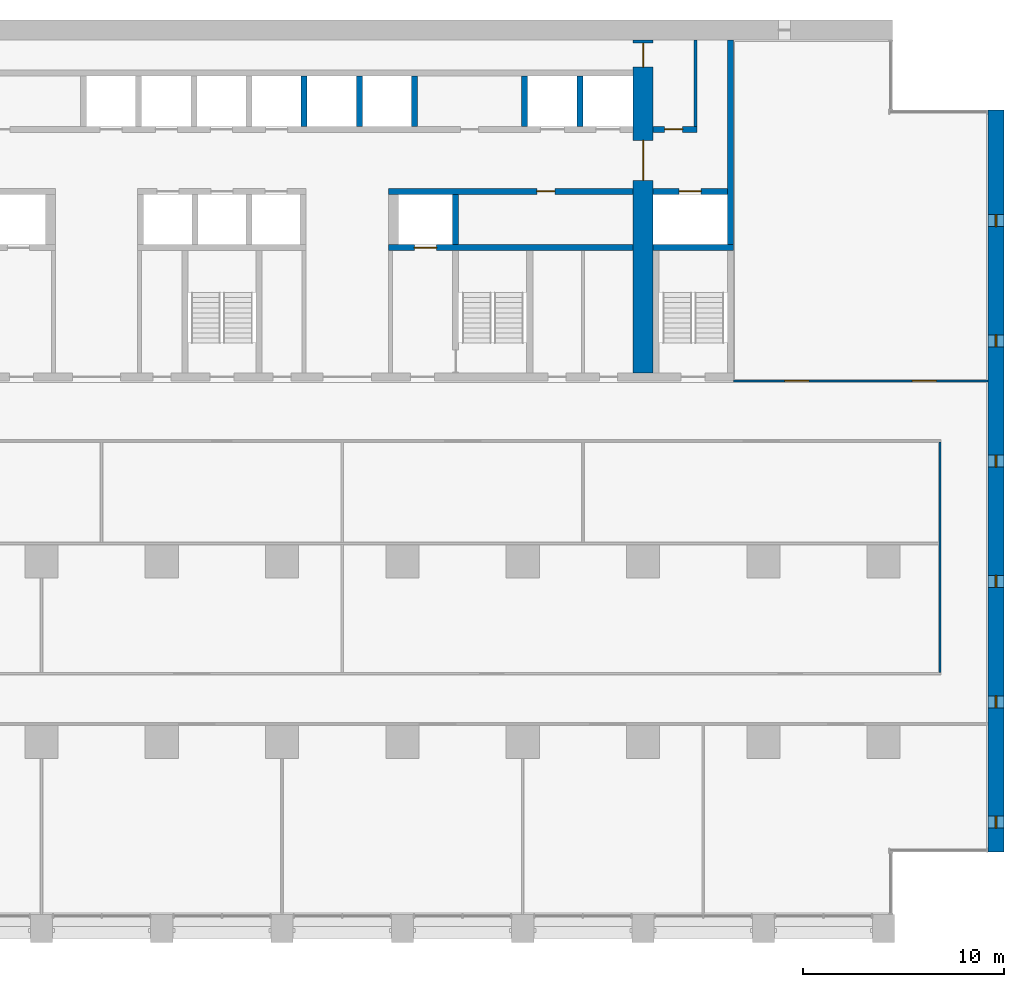
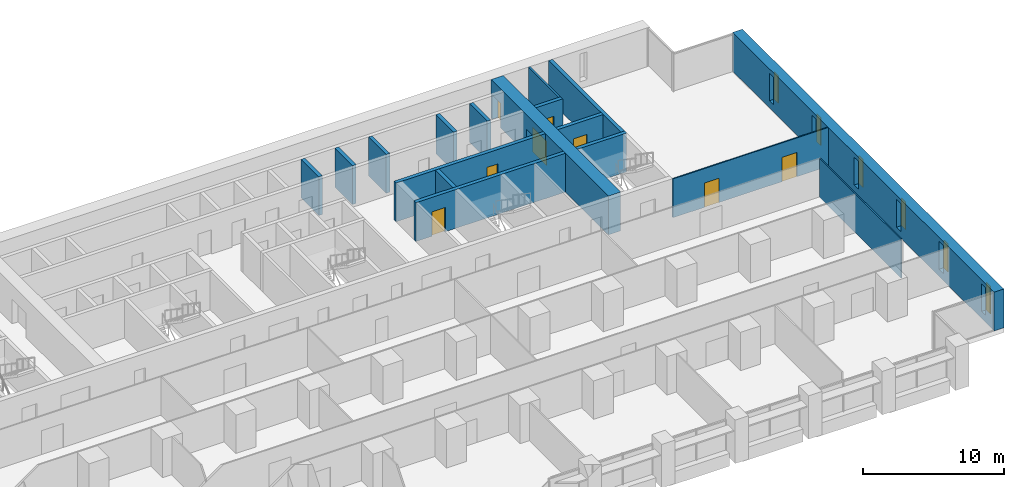
# One storey, part 13 of 18: 17 walls, 8 doors, 6 windows, 14 openings.
"""IFC4 building model written with IfcOpenShell, lengths in metres."""

from ifc_helpers import new_model, si_unit, direction, frame, frame_2d, origin, place, context, subcontext, project, spatial, rectangle, extrude, material, layer, layer_set, type_object, element, fill, save


model = new_model("IFC4")

# Units and contexts
model_context = context("Model", 3, precision=1e-05, world=origin(), true_north=direction((0.0, 1.0)))
body_context = subcontext(model_context, "Body", "Model", "MODEL_VIEW")
ifc_project = project(units=[si_unit("LENGTHUNIT", "METRE"), si_unit("AREAUNIT", "SQUARE_METRE"), si_unit("VOLUMEUNIT", "CUBIC_METRE"), si_unit("PLANEANGLEUNIT", "RADIAN"), si_unit("MASSUNIT", "GRAM", prefix="KILO")], contexts=[model_context])

# Site, building, storey
site_placement = place(None, origin())
site = spatial("IfcSite", under=ifc_project, at=site_placement, CompositionType="ELEMENT")
building_placement = place(site_placement, origin())
building = spatial("IfcBuilding", under=site, at=building_placement, Name="Calvaro Tower", CompositionType="ELEMENT")
storey_placement = place(building_placement, frame((0.0, 0.0, 56.25)))
storey = spatial("IfcBuildingStorey", under=building, at=storey_placement, Name="L13", CompositionType="ELEMENT", Elevation=56.25)

# Wall
ifc_material_1 = material(Name="Blockwork partition", Category="masonry")
ifc_layer_1 = layer(ifc_material_1, 0.14990234375)
ifc_layer_set_1 = layer_set([ifc_layer_1], Name="Blockwork partition")
wall_type_1 = type_object("IfcWallType", Name="Core partition 150 REI 120", PredefinedType="PARTITIONING", material=ifc_layer_set_1)
wall_1_placement = place(storey_placement, frame((62.625, 40.699951171875, 0.0), z_axis=(0.0, 0.0, 1.0), x_axis=(0.0, 1.0, 0.0)))
element("IfcWall", 1, at=wall_1_placement, inside=storey, type_object=wall_type_1, Name="Core partition", PredefinedType="PARTITIONING", context=body_context, shape_type="SweptSolid", body=[
    extrude(rectangle(XDim=4.300048828125, YDim=0.14990234375, at=frame_2d((2.14990234375, 0.0))), origin(), (0.0, 0.0, 1.0), 3.35009765625),
])

# Wall, opening, door
ifc_material_2 = material(Name="Blockwork partition", Category="masonry")
ifc_layer_2 = layer(ifc_material_2, 0.300048828125)
ifc_layer_set_2 = layer_set([ifc_layer_2], Name="Blockwork partition")
wall_type_2 = type_object("IfcWallType", Name="Core partition 300 REI 120", PredefinedType="PARTITIONING", material=ifc_layer_set_2)
wall_2_placement = place(storey_placement, frame((60.5, 40.550048828125, 0.0), z_axis=(0.0, 0.0, 1.0), x_axis=(1.0, 0.0, 0.0)))
wall_2 = element("IfcWall", 2, at=wall_2_placement, inside=storey, type_object=wall_type_2, Name="Core partition", PredefinedType="PARTITIONING", context=body_context, shape_type="SweptSolid", body=[
    extrude(rectangle(XDim=2.199951171875, YDim=0.300048828125, at=frame_2d((1.10009765625, 0.0))), origin(), (0.0, 0.0, 1.0), 3.35009765625),
])
opening_1_placement = place(wall_2_placement, frame((0.574951171875, 0.0, 0.0)))
opening_1 = element("IfcOpeningElement", 3, at=opening_1_placement, cuts=wall_2, Name="Opening RD9E", PredefinedType="OPENING", context=body_context, shape_type="SweptSolid", body=[
    extrude(rectangle(XDim=0.89990234375, YDim=2.10009765625, at=frame_2d((0.449951171875, 1.050048828125))), frame((0.0, 0.159912109375, 0.0), z_axis=(0.0, -1.0, 0.0), x_axis=(1.0, 0.0, 0.0)), (0.0, 0.0, 1.0), 0.320068359375),
])
ifc_material_3 = material(Name="Steel door set", Category="steel")
door_type_1 = type_object("IfcDoorType", Name="Room door 900 FD60", OperationType="SINGLE_SWING_LEFT", PredefinedType="DOOR", material=ifc_material_3)
door_1_placement = place(opening_1_placement, origin())
door_1 = element("IfcDoor", 4, at=door_1_placement, inside=storey, type_object=door_type_1, Name="Room door", OperationType="SINGLE_SWING_LEFT", OverallHeight=2.10009765625, OverallWidth=0.89990234375, PredefinedType="DOOR", context=body_context, shape_type="SweptSolid", body=[
    extrude(rectangle(XDim=0.89990234375, YDim=2.10009765625, at=frame_2d((0.449951171875, 1.050048828125))), frame((0.0, 0.02490234375, 0.0), z_axis=(0.0, -1.0, 0.0), x_axis=(1.0, 0.0, 0.0)), (0.0, 0.0, 1.0), 0.050048828125),
])
fill(opening_1, door_1)

# Wall, openings, doors
ifc_material_4 = material(Name="Concrete C80/95", Category="concrete")
ifc_layer_3 = layer(ifc_material_4, 1.0)
ifc_layer_set_3 = layer_set([ifc_layer_3], Name="Concrete C80/95")
wall_type_3 = type_object("IfcWallType", Name="Core wall C80/95 1000", PredefinedType="SHEAR", material=ifc_layer_set_3)
wall_3_placement = place(storey_placement, frame((60.0, 28.39990234375, 0.0), z_axis=(0.0, 0.0, 1.0), x_axis=(0.0, 1.0, 0.0)))
wall_3 = element("IfcWall", 5, at=wall_3_placement, inside=storey, type_object=wall_type_3, Name="Core wall, cross shear wall", PredefinedType="SHEAR", context=body_context, shape_type="SweptSolid", body=[
    extrude(rectangle(XDim=16.60009765625, YDim=1.0, at=frame_2d((8.300048828125, 0.0))), origin(), (0.0, 0.0, 1.0), 3.35009765625),
])
opening_2_placement = place(wall_3_placement, frame((9.60009765625, 0.0, 0.0)))
opening_2 = element("IfcOpeningElement", 6, at=opening_2_placement, cuts=wall_3, Name="Opening DD20D", PredefinedType="OPENING", context=body_context, shape_type="SweptSolid", body=[
    extrude(rectangle(XDim=2.0, YDim=2.10009765625, at=frame_2d((1.0, 1.050048828125))), frame((0.0, 0.510009765625, 0.0), z_axis=(0.0, -1.0, 0.0), x_axis=(1.0, 0.0, 0.0)), (0.0, 0.0, 1.0), 1.02001953125),
])
opening_3_placement = place(wall_3_placement, frame((15.25, 0.0, 0.0)))
opening_3 = element("IfcOpeningElement", 7, at=opening_3_placement, cuts=wall_3, Name="Opening FD12C", PredefinedType="OPENING", context=body_context, shape_type="SweptSolid", body=[
    extrude(rectangle(XDim=1.199951171875, YDim=2.10009765625, at=frame_2d((0.60009765625, 1.050048828125))), frame((0.0, 0.510009765625, 0.0), z_axis=(0.0, -1.0, 0.0), x_axis=(1.0, 0.0, 0.0)), (0.0, 0.0, 1.0), 1.02001953125),
])
ifc_material_5 = material(Name="Steel door set", Category="steel")
door_type_2 = type_object("IfcDoorType", Name="Fire door 1200 FD30", OperationType="SINGLE_SWING_LEFT", PredefinedType="DOOR", material=ifc_material_5)
door_2_placement = place(opening_3_placement, origin())
door_2 = element("IfcDoor", 8, at=door_2_placement, inside=storey, type_object=door_type_2, Name="Fire door", OperationType="SINGLE_SWING_LEFT", OverallHeight=2.10009765625, OverallWidth=1.199951171875, PredefinedType="DOOR", context=body_context, shape_type="SweptSolid", body=[
    extrude(rectangle(XDim=1.199951171875, YDim=2.10009765625, at=frame_2d((0.60009765625, 1.050048828125))), frame((0.0, 0.02490234375, 0.0), z_axis=(0.0, -1.0, 0.0), x_axis=(1.0, 0.0, 0.0)), (0.0, 0.0, 1.0), 0.050048828125),
])
fill(opening_3, door_2)
ifc_material_6 = material(Name="Steel door set", Category="steel")
door_type_3 = type_object("IfcDoorType", Name="Lobby double door 2000 FD30S", OperationType="DOUBLE_DOOR_SINGLE_SWING", PredefinedType="DOOR", material=ifc_material_6)
door_3_placement = place(opening_2_placement, origin())
door_3 = element("IfcDoor", 9, at=door_3_placement, inside=storey, type_object=door_type_3, Name="Lobby double door", OperationType="DOUBLE_DOOR_SINGLE_SWING", OverallHeight=2.10009765625, OverallWidth=2.0, PredefinedType="DOOR", context=body_context, shape_type="SweptSolid", body=[
    extrude(rectangle(XDim=2.0, YDim=2.10009765625, at=frame_2d((1.0, 1.050048828125))), frame((0.0, 0.02490234375, 0.0), z_axis=(0.0, -1.0, 0.0), x_axis=(1.0, 0.0, 0.0)), (0.0, 0.0, 1.0), 0.050048828125),
])
fill(opening_2, door_3)

# Wall
ifc_material_7 = material(Name="Concrete C80/95", Category="concrete")
ifc_layer_4 = layer(ifc_material_7, 0.300048828125)
ifc_layer_set_4 = layer_set([ifc_layer_4], Name="Concrete C80/95")
wall_type_4 = type_object("IfcWallType", Name="Core wall C80/95 300", PredefinedType="SHEAR", material=ifc_layer_set_4)
wall_4_placement = place(storey_placement, frame((64.35009765625, 34.800048828125, 0.0), z_axis=(0.0, 0.0, 1.0), x_axis=(0.0, 1.0, 0.0)))
element("IfcWall", 10, at=wall_4_placement, inside=storey, type_object=wall_type_4, Name="Core wall, boundary", PredefinedType="SHEAR", context=body_context, shape_type="SweptSolid", body=[
    extrude(rectangle(XDim=10.199951171875, YDim=0.300048828125, at=frame_2d((5.10009765625, 0.0))), origin(), (0.0, 0.0, 1.0), 3.35009765625),
])

# Wall, opening, door
wall_5_placement = place(storey_placement, frame((47.300048828125, 34.64990234375, 0.0), z_axis=(0.0, 0.0, 1.0), x_axis=(1.0, 0.0, 0.0)))
wall_5 = element("IfcWall", 11, at=wall_5_placement, inside=storey, type_object=wall_type_4, Name="Core wall, lift shaft", PredefinedType="SHEAR", context=body_context, shape_type="SweptSolid", body=[
    extrude(rectangle(XDim=12.199951171875, YDim=0.300048828125, at=frame_2d((6.10009765625, 0.0))), origin(), (0.0, 0.0, 1.0), 3.35009765625),
])
opening_4_placement = place(wall_5_placement, frame((1.300048828125, 0.0, 0.0)))
opening_4 = element("IfcOpeningElement", 12, at=opening_4_placement, cuts=wall_5, Name="Opening FF2", PredefinedType="OPENING", context=body_context, shape_type="SweptSolid", body=[
    extrude(rectangle(XDim=1.10009765625, YDim=2.10009765625, at=frame_2d((0.550048828125, 1.050048828125))), frame((0.0, 0.159912109375, 0.0), z_axis=(0.0, -1.0, 0.0), x_axis=(1.0, 0.0, 0.0)), (0.0, 0.0, 1.0), 0.320068359375),
])
ifc_material_8 = material(Name="Stainless steel", Category="steel")
door_type_4 = type_object("IfcDoorType", Name="Landing door 1100 E 60", OperationType="SLIDING_TO_LEFT", PredefinedType="DOOR", material=ifc_material_8)
door_4_placement = place(opening_4_placement, origin())
door_4 = element("IfcDoor", 13, at=door_4_placement, inside=storey, type_object=door_type_4, Name="Landing door FF2", OperationType="SLIDING_TO_LEFT", OverallHeight=2.10009765625, OverallWidth=1.10009765625, PredefinedType="DOOR", context=body_context, shape_type="SweptSolid", body=[
    extrude(rectangle(XDim=1.10009765625, YDim=2.10009765625, at=frame_2d((0.550048828125, 1.050048828125))), frame((0.0, 0.02490234375, 0.0), z_axis=(0.0, -1.0, 0.0), x_axis=(1.0, 0.0, 0.0)), (0.0, 0.0, 1.0), 0.050048828125),
])
fill(opening_4, door_4)

# Wall
wall_6_placement = place(storey_placement, frame((60.5, 34.64990234375, 0.0), z_axis=(0.0, 0.0, 1.0), x_axis=(1.0, 0.0, 0.0)))
element("IfcWall", 14, at=wall_6_placement, inside=storey, type_object=wall_type_4, Name="Core wall, lift shaft", PredefinedType="SHEAR", context=body_context, shape_type="SweptSolid", body=[
    extrude(rectangle(XDim=4.0, YDim=0.300048828125, at=frame_2d((2.0, 0.0))), origin(), (0.0, 0.0, 1.0), 3.35009765625),
])

# Wall, opening, door
wall_7_placement = place(storey_placement, frame((59.5, 37.449951171875, 0.0), z_axis=(0.0, 0.0, 1.0), x_axis=(-1.0, 0.0, 0.0)))
wall_7 = element("IfcWall", 15, at=wall_7_placement, inside=storey, type_object=wall_type_4, Name="Core wall, bay", PredefinedType="SHEAR", context=body_context, shape_type="SweptSolid", body=[
    extrude(rectangle(XDim=12.199951171875, YDim=0.300048828125, at=frame_2d((6.10009765625, 0.0))), origin(), (0.0, 0.0, 1.0), 3.35009765625),
])
opening_5_placement = place(wall_7_placement, frame((3.89990234375, 0.0, 0.0)))
opening_5 = element("IfcOpeningElement", 16, at=opening_5_placement, cuts=wall_7, Name="Opening RD9E", PredefinedType="OPENING", context=body_context, shape_type="SweptSolid", body=[
    extrude(rectangle(XDim=0.89990234375, YDim=2.10009765625, at=frame_2d((0.449951171875, 1.050048828125))), frame((0.0, 0.159912109375, 0.0), z_axis=(0.0, -1.0, 0.0), x_axis=(1.0, 0.0, 0.0)), (0.0, 0.0, 1.0), 0.320068359375),
])
door_5_placement = place(opening_5_placement, origin())
door_5 = element("IfcDoor", 17, at=door_5_placement, inside=storey, type_object=door_type_1, Name="Room door", OperationType="SINGLE_SWING_RIGHT", OverallHeight=2.10009765625, OverallWidth=0.89990234375, PredefinedType="DOOR", context=body_context, shape_type="SweptSolid", body=[
    extrude(rectangle(XDim=0.89990234375, YDim=2.10009765625, at=frame_2d((0.449951171875, 1.050048828125))), frame((0.0, 0.02490234375, 0.0), z_axis=(0.0, -1.0, 0.0), x_axis=(1.0, 0.0, 0.0)), (0.0, 0.0, 1.0), 0.050048828125),
])
fill(opening_5, door_5)

wall_8_placement = place(storey_placement, frame((60.5, 37.449951171875, 0.0), z_axis=(0.0, 0.0, 1.0), x_axis=(1.0, 0.0, 0.0)))
wall_8 = element("IfcWall", 18, at=wall_8_placement, inside=storey, type_object=wall_type_4, Name="Core wall, lift shaft", PredefinedType="SHEAR", context=body_context, shape_type="SweptSolid", body=[
    extrude(rectangle(XDim=3.699951171875, YDim=0.300048828125, at=frame_2d((1.85009765625, 0.0))), origin(), (0.0, 0.0, 1.0), 3.35009765625),
])
opening_6_placement = place(wall_8_placement, frame((1.300048828125, 0.0, 0.0)))
opening_6 = element("IfcOpeningElement", 19, at=opening_6_placement, cuts=wall_8, Name="Opening FF3", PredefinedType="OPENING", context=body_context, shape_type="SweptSolid", body=[
    extrude(rectangle(XDim=1.10009765625, YDim=2.10009765625, at=frame_2d((0.550048828125, 1.050048828125))), frame((0.0, 0.159912109375, 0.0), z_axis=(0.0, -1.0, 0.0), x_axis=(1.0, 0.0, 0.0)), (0.0, 0.0, 1.0), 0.320068359375),
])
door_6_placement = place(opening_6_placement, origin())
door_6 = element("IfcDoor", 20, at=door_6_placement, inside=storey, type_object=door_type_4, Name="Landing door FF3", OperationType="SLIDING_TO_LEFT", OverallHeight=2.10009765625, OverallWidth=1.10009765625, PredefinedType="DOOR", context=body_context, shape_type="SweptSolid", body=[
    extrude(rectangle(XDim=1.10009765625, YDim=2.10009765625, at=frame_2d((0.550048828125, 1.050048828125))), frame((0.0, 0.02490234375, 0.0), z_axis=(0.0, -1.0, 0.0), x_axis=(1.0, 0.0, 0.0)), (0.0, 0.0, 1.0), 0.050048828125),
])
fill(opening_6, door_6)

# Walls
for number, where, z_axis, x_axis, name in (
    (21, (50.64990234375, 34.800048828125, 0.0), (0.0, 0.0, 1.0), (0.0, 1.0, 0.0), "Core wall, lift shaft"),
    (22, (43.10009765625, 40.699951171875, 0.0), (0.0, 0.0, 1.0), (0.0, 1.0, 0.0), "Core wall, lift shaft"),
    (23, (45.85009765625, 40.699951171875, 0.0), (0.0, 0.0, 1.0), (0.0, 1.0, 0.0), "Core wall, lift shaft"),
    (24, (48.60009765625, 40.699951171875, 0.0), (0.0, 0.0, 1.0), (0.0, 1.0, 0.0), "Core wall, lift shaft"),
    (25, (54.10009765625, 40.699951171875, 0.0), (0.0, 0.0, 1.0), (0.0, 1.0, 0.0), "Core wall, lift shaft"),
    (26, (56.85009765625, 40.699951171875, 0.0), (0.0, 0.0, 1.0), (0.0, 1.0, 0.0), "Core wall, lift shaft"),
):
    element("IfcWall", number, at=place(storey_placement, frame(where, z_axis=z_axis, x_axis=x_axis)), inside=storey, type_object=wall_type_4, Name=name, PredefinedType="SHEAR", context=body_context, shape_type="SweptSolid", body=[
        extrude(rectangle(XDim=2.5, YDim=0.300048828125, at=frame_2d((1.25, 0.0))), origin(), (0.0, 0.0, 1.0), 3.35009765625),
    ])

# Wall, openings, windows
ifc_material_9 = material(Name="Concrete C80/95", Category="concrete")
ifc_layer_5 = layer(ifc_material_9, 0.800048828125)
ifc_layer_set_5 = layer_set([ifc_layer_5], Name="Concrete C80/95")
wall_type_5 = type_object("IfcWallType", Name="End wall 800 C80/95", PredefinedType="SHEAR", material=ifc_layer_set_5)
wall_9_placement = place(storey_placement, frame((77.60009765625, 4.5, 0.0), z_axis=(0.0, 0.0, 1.0), x_axis=(0.0, 1.0, 0.0)))
wall_9 = element("IfcWall", 27, at=wall_9_placement, inside=storey, type_object=wall_type_5, Name="End shear wall", PredefinedType="SHEAR", context=body_context, shape_type="SweptSolid", body=[
    extrude(rectangle(XDim=37.0, YDim=0.800048828125, at=frame_2d((18.5, 0.0))), origin(), (0.0, 0.0, 1.0), 3.35009765625),
])
opening_7_placement = place(wall_9_placement, frame((1.199951171875, 0.0, 0.60009765625)))
opening_7 = element("IfcOpeningElement", 28, at=opening_7_placement, cuts=wall_9, Name="Opening WE01", PredefinedType="OPENING", context=body_context, shape_type="SweptSolid", body=[
    extrude(rectangle(XDim=0.60009765625, YDim=2.39990234375, at=frame_2d((0.300048828125, 1.199951171875))), frame((0.0, 0.409912109375, 0.0), z_axis=(0.0, -1.0, 0.0), x_axis=(1.0, 0.0, 0.0)), (0.0, 0.0, 1.0), 0.820068359375),
])
opening_8_placement = place(wall_9_placement, frame((7.199951171875, 0.0, 0.60009765625)))
opening_8 = element("IfcOpeningElement", 29, at=opening_8_placement, cuts=wall_9, Name="Opening WE02", PredefinedType="OPENING", context=body_context, shape_type="SweptSolid", body=[
    extrude(rectangle(XDim=0.60009765625, YDim=2.39990234375, at=frame_2d((0.300048828125, 1.199951171875))), frame((0.0, 0.409912109375, 0.0), z_axis=(0.0, -1.0, 0.0), x_axis=(1.0, 0.0, 0.0)), (0.0, 0.0, 1.0), 0.820068359375),
])
opening_9_placement = place(wall_9_placement, frame((13.199951171875, 0.0, 0.60009765625)))
opening_9 = element("IfcOpeningElement", 30, at=opening_9_placement, cuts=wall_9, Name="Opening WE03", PredefinedType="OPENING", context=body_context, shape_type="SweptSolid", body=[
    extrude(rectangle(XDim=0.60009765625, YDim=2.39990234375, at=frame_2d((0.300048828125, 1.199951171875))), frame((0.0, 0.409912109375, 0.0), z_axis=(0.0, -1.0, 0.0), x_axis=(1.0, 0.0, 0.0)), (0.0, 0.0, 1.0), 0.820068359375),
])
opening_10_placement = place(wall_9_placement, frame((19.199951171875, 0.0, 0.60009765625)))
opening_10 = element("IfcOpeningElement", 31, at=opening_10_placement, cuts=wall_9, Name="Opening WE04", PredefinedType="OPENING", context=body_context, shape_type="SweptSolid", body=[
    extrude(rectangle(XDim=0.60009765625, YDim=2.39990234375, at=frame_2d((0.300048828125, 1.199951171875))), frame((0.0, 0.409912109375, 0.0), z_axis=(0.0, -1.0, 0.0), x_axis=(1.0, 0.0, 0.0)), (0.0, 0.0, 1.0), 0.820068359375),
])
opening_11_placement = place(wall_9_placement, frame((25.199951171875, 0.0, 0.60009765625)))
opening_11 = element("IfcOpeningElement", 32, at=opening_11_placement, cuts=wall_9, Name="Opening WE05", PredefinedType="OPENING", context=body_context, shape_type="SweptSolid", body=[
    extrude(rectangle(XDim=0.60009765625, YDim=2.39990234375, at=frame_2d((0.300048828125, 1.199951171875))), frame((0.0, 0.409912109375, 0.0), z_axis=(0.0, -1.0, 0.0), x_axis=(1.0, 0.0, 0.0)), (0.0, 0.0, 1.0), 0.820068359375),
])
opening_12_placement = place(wall_9_placement, frame((31.199951171875, 0.0, 0.60009765625)))
opening_12 = element("IfcOpeningElement", 33, at=opening_12_placement, cuts=wall_9, Name="Opening WE06", PredefinedType="OPENING", context=body_context, shape_type="SweptSolid", body=[
    extrude(rectangle(XDim=0.60009765625, YDim=2.39990234375, at=frame_2d((0.300048828125, 1.199951171875))), frame((0.0, 0.409912109375, 0.0), z_axis=(0.0, -1.0, 0.0), x_axis=(1.0, 0.0, 0.0)), (0.0, 0.0, 1.0), 0.820068359375),
])
ifc_material_10 = material(Name="Glass", Category="glass")
window_type = type_object("IfcWindowType", Name="Slit window 600 x 2400", PartitioningType="SINGLE_PANEL", PredefinedType="WINDOW", material=ifc_material_10)
window_1_placement = place(opening_7_placement, origin())
window_1 = element("IfcWindow", 34, at=window_1_placement, inside=storey, type_object=window_type, Name="Window WE01", OverallHeight=2.39990234375, OverallWidth=0.60009765625, PartitioningType="SINGLE_PANEL", PredefinedType="WINDOW", context=body_context, shape_type="SweptSolid", body=[
    extrude(rectangle(XDim=0.60009765625, YDim=2.39990234375, at=frame_2d((0.300048828125, 1.199951171875))), frame((0.0, 0.030029296875, 0.0), z_axis=(0.0, -1.0, 0.0), x_axis=(1.0, 0.0, 0.0)), (0.0, 0.0, 1.0), 0.06005859375),
])
fill(opening_7, window_1)
window_2_placement = place(opening_8_placement, origin())
window_2 = element("IfcWindow", 35, at=window_2_placement, inside=storey, type_object=window_type, Name="Window WE02", OverallHeight=2.39990234375, OverallWidth=0.60009765625, PartitioningType="SINGLE_PANEL", PredefinedType="WINDOW", context=body_context, shape_type="SweptSolid", body=[
    extrude(rectangle(XDim=0.60009765625, YDim=2.39990234375, at=frame_2d((0.300048828125, 1.199951171875))), frame((0.0, 0.030029296875, 0.0), z_axis=(0.0, -1.0, 0.0), x_axis=(1.0, 0.0, 0.0)), (0.0, 0.0, 1.0), 0.06005859375),
])
fill(opening_8, window_2)
window_3_placement = place(opening_9_placement, origin())
window_3 = element("IfcWindow", 36, at=window_3_placement, inside=storey, type_object=window_type, Name="Window WE03", OverallHeight=2.39990234375, OverallWidth=0.60009765625, PartitioningType="SINGLE_PANEL", PredefinedType="WINDOW", context=body_context, shape_type="SweptSolid", body=[
    extrude(rectangle(XDim=0.60009765625, YDim=2.39990234375, at=frame_2d((0.300048828125, 1.199951171875))), frame((0.0, 0.030029296875, 0.0), z_axis=(0.0, -1.0, 0.0), x_axis=(1.0, 0.0, 0.0)), (0.0, 0.0, 1.0), 0.06005859375),
])
fill(opening_9, window_3)
window_4_placement = place(opening_10_placement, origin())
window_4 = element("IfcWindow", 37, at=window_4_placement, inside=storey, type_object=window_type, Name="Window WE04", OverallHeight=2.39990234375, OverallWidth=0.60009765625, PartitioningType="SINGLE_PANEL", PredefinedType="WINDOW", context=body_context, shape_type="SweptSolid", body=[
    extrude(rectangle(XDim=0.60009765625, YDim=2.39990234375, at=frame_2d((0.300048828125, 1.199951171875))), frame((0.0, 0.030029296875, 0.0), z_axis=(0.0, -1.0, 0.0), x_axis=(1.0, 0.0, 0.0)), (0.0, 0.0, 1.0), 0.06005859375),
])
fill(opening_10, window_4)
window_5_placement = place(opening_11_placement, origin())
window_5 = element("IfcWindow", 38, at=window_5_placement, inside=storey, type_object=window_type, Name="Window WE05", OverallHeight=2.39990234375, OverallWidth=0.60009765625, PartitioningType="SINGLE_PANEL", PredefinedType="WINDOW", context=body_context, shape_type="SweptSolid", body=[
    extrude(rectangle(XDim=0.60009765625, YDim=2.39990234375, at=frame_2d((0.300048828125, 1.199951171875))), frame((0.0, 0.030029296875, 0.0), z_axis=(0.0, -1.0, 0.0), x_axis=(1.0, 0.0, 0.0)), (0.0, 0.0, 1.0), 0.06005859375),
])
fill(opening_11, window_5)
window_6_placement = place(opening_12_placement, origin())
window_6 = element("IfcWindow", 39, at=window_6_placement, inside=storey, type_object=window_type, Name="Window WE06", OverallHeight=2.39990234375, OverallWidth=0.60009765625, PartitioningType="SINGLE_PANEL", PredefinedType="WINDOW", context=body_context, shape_type="SweptSolid", body=[
    extrude(rectangle(XDim=0.60009765625, YDim=2.39990234375, at=frame_2d((0.300048828125, 1.199951171875))), frame((0.0, 0.030029296875, 0.0), z_axis=(0.0, -1.0, 0.0), x_axis=(1.0, 0.0, 0.0)), (0.0, 0.0, 1.0), 0.06005859375),
])
fill(opening_12, window_6)

# Wall, openings, doors
ifc_material_11 = material(Name="Plasterboard on steel studs", Category="steel")
ifc_layer_6 = layer(ifc_material_11, 0.10009765625)
ifc_layer_set_6 = layer_set([ifc_layer_6], Name="Plasterboard on steel studs")
wall_type_6 = type_object("IfcWallType", Name="Partition 100", PredefinedType="PARTITIONING", material=ifc_layer_set_6)
wall_10_placement = place(storey_placement, frame((64.5, 28.0, 0.0), z_axis=(0.0, 0.0, 1.0), x_axis=(1.0, 0.0, 0.0)))
wall_10 = element("IfcWall", 40, at=wall_10_placement, inside=storey, type_object=wall_type_6, Name="Partition T11.W006", PredefinedType="PARTITIONING", context=body_context, shape_type="SweptSolid", body=[
    extrude(rectangle(XDim=12.699951171875, YDim=0.10009765625, at=frame_2d((6.35009765625, 0.0))), origin(), (0.0, 0.0, 1.0), 3.35009765625),
])
opening_13_placement = place(wall_10_placement, frame((2.574951171875, 0.0, 0.0)))
opening_13 = element("IfcOpeningElement", 41, at=opening_13_placement, cuts=wall_10, Name="Opening T11.019", PredefinedType="OPENING", context=body_context, shape_type="SweptSolid", body=[
    extrude(rectangle(XDim=1.199951171875, YDim=2.10009765625, at=frame_2d((0.60009765625, 1.050048828125))), frame((0.0, 0.06005859375, 0.0), z_axis=(0.0, -1.0, 0.0), x_axis=(1.0, 0.0, 0.0)), (0.0, 0.0, 1.0), 0.1201171875),
])
opening_14_placement = place(wall_10_placement, frame((8.925048828125, 0.0, 0.0)))
opening_14 = element("IfcOpeningElement", 42, at=opening_14_placement, cuts=wall_10, Name="Opening T11.020", PredefinedType="OPENING", context=body_context, shape_type="SweptSolid", body=[
    extrude(rectangle(XDim=1.199951171875, YDim=2.10009765625, at=frame_2d((0.60009765625, 1.050048828125))), frame((0.0, 0.06005859375, 0.0), z_axis=(0.0, -1.0, 0.0), x_axis=(1.0, 0.0, 0.0)), (0.0, 0.0, 1.0), 0.1201171875),
])
ifc_material_12 = material(Name="Timber", Category="wood")
door_type_5 = type_object("IfcDoorType", Name="Internal single door 1200 x 2100", OperationType="SINGLE_SWING_LEFT", PredefinedType="DOOR", material=ifc_material_12)
door_7_placement = place(opening_13_placement, origin())
door_7 = element("IfcDoor", 43, at=door_7_placement, inside=storey, type_object=door_type_5, Name="Door T11.019", OperationType="SINGLE_SWING_LEFT", OverallHeight=2.10009765625, OverallWidth=1.199951171875, PredefinedType="DOOR", context=body_context, shape_type="SweptSolid", body=[
    extrude(rectangle(XDim=1.199951171875, YDim=2.10009765625, at=frame_2d((0.60009765625, 1.050048828125))), frame((0.0, 0.02490234375, 0.0), z_axis=(0.0, -1.0, 0.0), x_axis=(1.0, 0.0, 0.0)), (0.0, 0.0, 1.0), 0.050048828125),
])
fill(opening_13, door_7)
door_8_placement = place(opening_14_placement, origin())
door_8 = element("IfcDoor", 44, at=door_8_placement, inside=storey, type_object=door_type_5, Name="Door T11.020", OperationType="SINGLE_SWING_RIGHT", OverallHeight=2.10009765625, OverallWidth=1.199951171875, PredefinedType="DOOR", context=body_context, shape_type="SweptSolid", body=[
    extrude(rectangle(XDim=1.199951171875, YDim=2.10009765625, at=frame_2d((0.60009765625, 1.050048828125))), frame((0.0, 0.02490234375, 0.0), z_axis=(0.0, -1.0, 0.0), x_axis=(1.0, 0.0, 0.0)), (0.0, 0.0, 1.0), 0.050048828125),
])
fill(opening_14, door_8)

# Wall
wall_11_placement = place(storey_placement, frame((74.800048828125, 13.449951171875, 0.0), z_axis=(0.0, 0.0, 1.0), x_axis=(0.0, 1.0, 0.0)))
element("IfcWall", 45, at=wall_11_placement, inside=storey, type_object=wall_type_6, Name="Partition T11.W021", PredefinedType="PARTITIONING", context=body_context, shape_type="SweptSolid", body=[
    extrude(rectangle(XDim=11.5, YDim=0.10009765625, at=frame_2d((5.75, 0.0))), origin(), (0.0, 0.0, 1.0), 3.35009765625),
])

save(model, "model.ifc")
